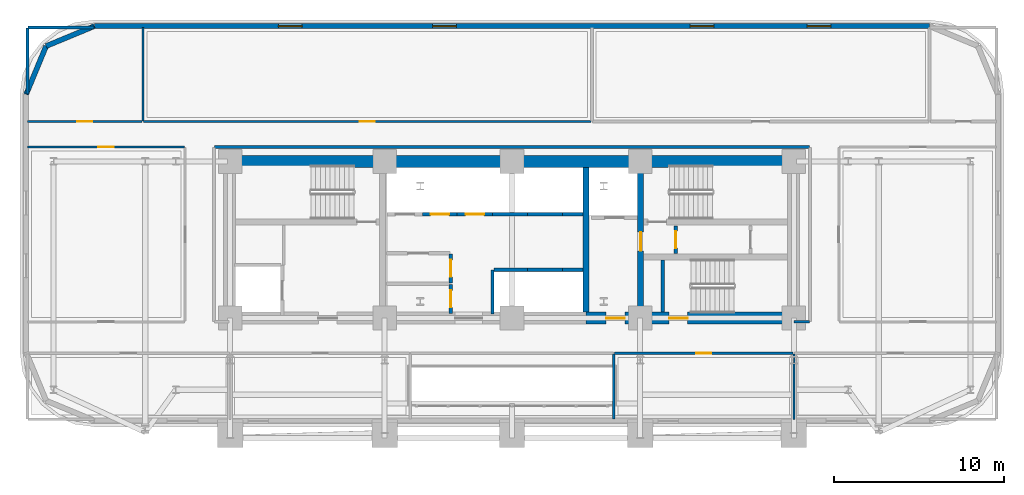
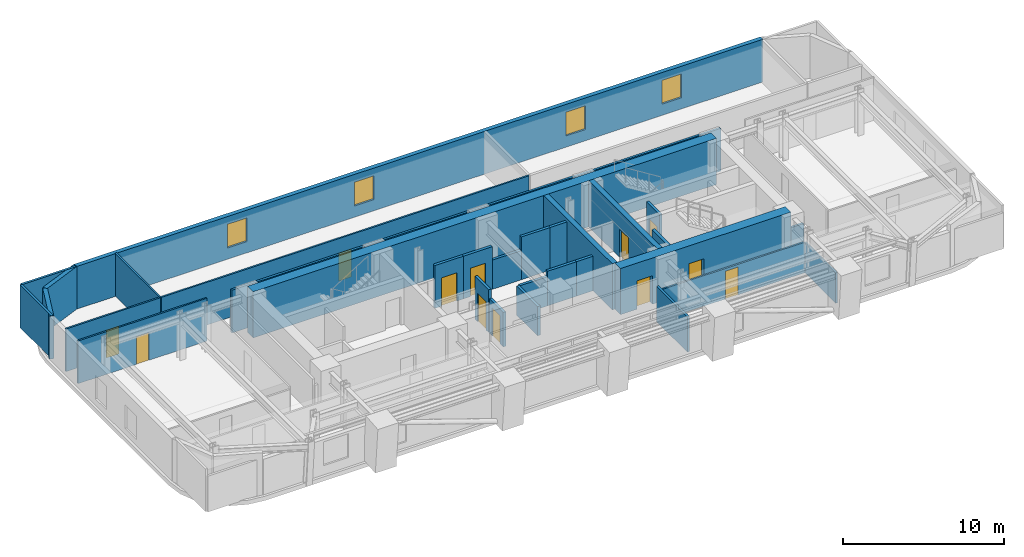
# One storey, part 9 of 15: 31 walls, 12 doors, 4 windows, 16 openings.
"""IFC4 building model written with IfcOpenShell, lengths in metres."""

import ifcopenshell
import ifcopenshell.guid

model = None  # the IFC model being written
_history = None  # IfcOwnerHistory: only IFC2X3 demands one
_inside = {}  # id of a spatial element -> (the spatial element, [elements in it])
_under = {}  # id of a project, library or spatial element -> (it, [spatial elements below it])
_declared = {}  # id of a project -> (the project, [libraries it declares])
_typed = {}  # id of a type object -> (the type object, [elements of that type])
_made_of = {}  # id of a material, layer set ... -> (it, [elements and type objects made of it])


def new_model(schema):
    """Start an empty IFC model of exactly this schema.

    Asked for "IFC4X3", IfcOpenShell would pick the latest addendum, in which some entities
    have other attributes; the version numbers below select the first issue.
    IFC2X3 requires an IfcOwnerHistory on every rooted entity: one is made here for all.
    """
    global model, _history
    if schema == "IFC4X3":
        model = ifcopenshell.file(schema_version=(4, 3, 0, 0))
    else:
        model = ifcopenshell.file(schema=schema)
    _inside.clear()
    _under.clear()
    _declared.clear()
    _typed.clear()
    _made_of.clear()
    _history = None
    if model.schema == "IFC2X3":
        org = make("IfcOrganization", Name="unknown")
        user = make(
            "IfcPersonAndOrganization",
            ThePerson=make("IfcPerson", FamilyName="unknown"),
            TheOrganization=org,
        )
        app = make(
            "IfcApplication",
            ApplicationDeveloper=org,
            Version="unknown",
            ApplicationFullName="unknown",
            ApplicationIdentifier="unknown",
        )
        _history = make(
            "IfcOwnerHistory",
            OwningUser=user,
            OwningApplication=app,
            ChangeAction="ADDED",
            CreationDate=0,
        )
    return model


def make(cls, **values):
    """One entity of the class cls with the attributes given. An attribute that is None is left unset."""
    return model.create_entity(
        cls, **{name: value for name, value in values.items() if value is not None}
    )


def rooted(cls, **values):
    """An entity with a GlobalId (a new one), such as an element, a storey or a relation."""
    return make(cls, GlobalId=ifcopenshell.guid.new(), OwnerHistory=_history, **values)


def si_unit(unit_type, name, prefix=None):
    """IfcSIUnit, for example si_unit("LENGTHUNIT", "METRE", prefix="MILLI")."""
    return make("IfcSIUnit", UnitType=unit_type, Prefix=prefix, Name=name)


def assignment(units):
    """IfcUnitAssignment: the units of a project."""
    return None if units is None else make("IfcUnitAssignment", Units=units)


def point(xyz):
    """IfcCartesianPoint."""
    return None if xyz is None else make("IfcCartesianPoint", Coordinates=xyz)


def direction(xyz):
    """IfcDirection."""
    return None if xyz is None else make("IfcDirection", DirectionRatios=xyz)


def frame(location, z_axis=None, x_axis=None):
    """IfcAxis2Placement3D, a coordinate frame: its origin and axes. An axis left out is left unset."""
    return make(
        "IfcAxis2Placement3D",
        Location=point(location),
        Axis=direction(z_axis),
        RefDirection=direction(x_axis),
    )


def frame_2d(location, x_axis=None):
    """IfcAxis2Placement2D, a coordinate frame in the plane: its origin and x axis."""
    return make(
        "IfcAxis2Placement2D", Location=point(location), RefDirection=direction(x_axis)
    )


def origin():
    """The frame at (0, 0, 0) with its axes left unset."""
    return frame((0.0, 0.0, 0.0))


def place(relative_to, where):
    """IfcLocalPlacement: puts the frame where relative to a parent placement (None: the world)."""
    return make(
        "IfcLocalPlacement", PlacementRelTo=relative_to, RelativePlacement=where
    )


def context(
    kind, dimensions, precision=None, world=None, true_north=None, identifier=None
):
    """IfcGeometricRepresentationContext, for example the 3D "Model" context."""
    return make(
        "IfcGeometricRepresentationContext",
        ContextIdentifier=identifier,
        ContextType=kind,
        CoordinateSpaceDimension=dimensions,
        Precision=precision,
        WorldCoordinateSystem=world,
        TrueNorth=true_north,
    )


def subcontext(parent, identifier, kind, view, scale=None):
    """IfcGeometricRepresentationSubContext, for example "Body" below "Model"."""
    return make(
        "IfcGeometricRepresentationSubContext",
        ContextIdentifier=identifier,
        ContextType=kind,
        ParentContext=parent,
        TargetScale=scale,
        TargetView=view,
    )


def project(units=None, contexts=None):
    """IfcProject with its units and contexts."""
    return rooted(
        "IfcProject",
        Name="project",
        RepresentationContexts=contexts,
        UnitsInContext=assignment(units),
    )


def spatial(cls, under=None, at=None, **own):
    """A site, building, storey or space (cls), placed at a placement, below another one or the project."""
    s = rooted(cls, ObjectPlacement=at, **own)
    if under is not None:
        _under.setdefault(under.id(), (under, []))[1].append(s)
    return s


def profile(cls, at=None, kind="AREA", **sizes):
    """A parametric profile (cls). Its sizes go by their IFC names, for example OverallWidth=200.0."""
    return make(cls, ProfileType=kind, Position=at, **sizes)


def rectangle(**sizes):
    """IfcRectangleProfileDef."""
    return profile("IfcRectangleProfileDef", **sizes)


def extrude(swept, where, along, depth):
    """IfcExtrudedAreaSolid: the profile swept, set in the frame where, extruded along a direction by depth."""
    return make(
        "IfcExtrudedAreaSolid",
        SweptArea=swept,
        Position=where,
        ExtrudedDirection=direction(along),
        Depth=depth,
    )


def shape(context_of_items, identifier, shape_type, items):
    """IfcShapeRepresentation: the items that make up one representation, for example the "Body"."""
    return make(
        "IfcShapeRepresentation",
        ContextOfItems=context_of_items,
        RepresentationIdentifier=identifier,
        RepresentationType=shape_type,
        Items=items,
    )


def material(Name=None, Category=None):
    """IfcMaterial."""
    return make("IfcMaterial", Name=Name, Category=Category)


def layer(
    of_material, thickness, ventilated=None, Name=None, Category=None, Priority=None
):
    """IfcMaterialLayer: one layer of a wall or slab, of a material (None: an air gap)."""
    return make(
        "IfcMaterialLayer",
        Material=of_material,
        LayerThickness=thickness,
        IsVentilated=ventilated,
        Name=Name,
        Category=Category,
        Priority=Priority,
    )


def layer_set(layers, Name=None):
    """IfcMaterialLayerSet."""
    return make("IfcMaterialLayerSet", MaterialLayers=layers, LayerSetName=Name)


def made_of(thing, what):
    """Note that an element or type object is made of a material, layer set ...; save() writes the relation."""
    if what is not None:
        _made_of.setdefault(what.id(), (what, []))[1].append(thing)
    return thing


def type_object(cls, material=None, **own):
    """A type object (cls), such as IfcWallType, which elements share."""
    return made_of(rooted(cls, **own), material)


def element(
    cls,
    number,
    at=None,
    inside=None,
    cuts=None,
    type_object=None,
    material=None,
    context=None,
    identifier="Body",
    shape_type=None,
    held_by="IfcProductDefinitionShape",
    body=None,
    shapes=None,
    **own,
):
    """One element of the class cls, such as IfcWall. Its Tag is "e" and its number.

    at: its placement. inside: the storey or other place that contains it. cuts: it is an
    opening in that element (IfcRelVoidsElement). A single representation is given by context,
    identifier, shape_type and body (its items); several are given by shapes. held_by: the class
    of the entity that holds the representations. save() writes the other relations.
    """
    e = rooted(cls, Tag="e%d" % number, ObjectPlacement=at, **own)
    if body is not None:
        shapes = [shape(context, identifier, shape_type, body)]
    if shapes is not None:
        e.Representation = make(held_by, Representations=shapes)
    if inside is not None:
        _inside.setdefault(inside.id(), (inside, []))[1].append(e)
    if cuts is not None:
        rooted(
            "IfcRelVoidsElement", RelatingBuildingElement=cuts, RelatedOpeningElement=e
        )
    if type_object is not None:
        _typed.setdefault(type_object.id(), (type_object, []))[1].append(e)
    return made_of(e, material)


def fill(opening, filler):
    """IfcRelFillsElement: the door or window that sits in an opening."""
    return rooted(
        "IfcRelFillsElement",
        RelatingOpeningElement=opening,
        RelatedBuildingElement=filler,
    )


def aggregate(whole, parts):
    """IfcRelAggregates: a whole, such as a stair, and the parts it consists of."""
    return rooted("IfcRelAggregates", RelatingObject=whole, RelatedObjects=parts)


def save(model, path):
    """Write the relations noted so far, then the file.

    IfcRelAggregates (storeys below a building ...), IfcRelContainedInSpatialStructure (elements
    in a storey), IfcRelDefinesByType, IfcRelAssociatesMaterial and IfcRelDeclares: one each for
    every whole, place, type object, material and project.
    """
    for whole, parts in _under.values():
        aggregate(whole, parts)
    for where, things in _inside.values():
        rooted(
            "IfcRelContainedInSpatialStructure",
            RelatedElements=things,
            RelatingStructure=where,
        )
    for kind, things in _typed.values():
        rooted("IfcRelDefinesByType", RelatedObjects=things, RelatingType=kind)
    for what, things in _made_of.values():
        rooted("IfcRelAssociatesMaterial", RelatedObjects=things, RelatingMaterial=what)
    for by, libraries in _declared.values():
        rooted("IfcRelDeclares", RelatingContext=by, RelatedDefinitions=libraries)
    model.write(path)


model = new_model("IFC4")

# Units and contexts
model_context = context("Model", 3, precision=1e-05, world=origin(), true_north=direction((0.0, 1.0)))
body_context = subcontext(model_context, "Body", "Model", "MODEL_VIEW")
ifc_project = project(units=[si_unit("LENGTHUNIT", "METRE"), si_unit("AREAUNIT", "SQUARE_METRE"), si_unit("VOLUMEUNIT", "CUBIC_METRE"), si_unit("PLANEANGLEUNIT", "RADIAN"), si_unit("MASSUNIT", "GRAM", prefix="KILO")], contexts=[model_context])

# Site, building, storey
site_placement = place(None, origin())
site = spatial("IfcSite", under=ifc_project, at=site_placement, CompositionType="ELEMENT")
building_placement = place(site_placement, origin())
building = spatial("IfcBuilding", under=site, at=building_placement, Name="Zarnavel Station Tower", CompositionType="ELEMENT")
storey_placement = place(building_placement, frame((0.0, 0.0, 57.0)))
storey = spatial("IfcBuildingStorey", under=building, at=storey_placement, Name="L15", CompositionType="ELEMENT", Elevation=57.0)

# Wall
ifc_material_1 = material(Name="Concrete C50/60", Category="concrete")
ifc_layer_1 = layer(ifc_material_1, 0.35009765625)
ifc_layer_set_1 = layer_set([ifc_layer_1], Name="CW_350")
wall_type_1 = type_object("IfcWallType", Name="CW_350", PredefinedType="SHEAR", material=ifc_layer_set_1)
wall_1_placement = place(storey_placement, frame((33.14990234375, 28.169921875, 0.0), z_axis=(0.0, 0.0, 1.0), x_axis=(0.0, 1.0, 0.0)))
element("IfcWall", 1, at=wall_1_placement, inside=storey, type_object=wall_type_1, Name="L15 Rear Core Shear Wall DIV-E", PredefinedType="SHEAR", context=body_context, shape_type="SweptSolid", body=[
    extrude(rectangle(XDim=8.530029296875, YDim=0.35009765625, at=frame_2d((4.26513671875, 0.0))), origin(), (0.0, 0.0, 1.0), 3.5),
])

# Wall, opening, door
wall_2_placement = place(storey_placement, frame((36.3798828125, 28.169921875, 0.0), z_axis=(0.0, 0.0, 1.0), x_axis=(0.0, 1.0, 0.0)))
wall_2 = element("IfcWall", 2, at=wall_2_placement, inside=storey, type_object=wall_type_1, Name="L15 Rear Core Shear Wall DIV-S2", PredefinedType="SHEAR", context=body_context, shape_type="SweptSolid", body=[
    extrude(rectangle(XDim=8.530029296875, YDim=0.35009765625, at=frame_2d((4.26513671875, 0.0))), origin(), (0.0, 0.0, 1.0), 3.5),
])
opening_1_placement = place(wall_2_placement, frame((3.610107421875, 0.0, 0.0)))
opening_1 = element("IfcOpeningElement", 3, at=opening_1_placement, cuts=wall_2, Name="Opening FD01", PredefinedType="OPENING", context=body_context, shape_type="SweptSolid", body=[
    extrude(rectangle(XDim=1.10009765625, YDim=2.14990234375, at=frame_2d((0.550048828125, 1.074951171875))), frame((0.0, 0.18505859375, 0.0), z_axis=(0.0, -1.0, 0.0), x_axis=(1.0, 0.0, 0.0)), (0.0, 0.0, 1.0), 0.3701171875),
])
ifc_material_2 = material(Name="Painted Galvanised Steel and Hardwood Leaf", Category="steel")
door_type_1 = type_object("IfcDoorType", Name="ID_STAIR_1100", OperationType="NOTDEFINED", PredefinedType="DOOR", material=ifc_material_2)
door_1_placement = place(opening_1_placement, origin())
door_1 = element("IfcDoor", 4, at=door_1_placement, inside=storey, type_object=door_type_1, Name="L15 East Stair Vestibule Fire Door", OperationType="SINGLE_SWING_LEFT", OverallHeight=2.14990234375, OverallWidth=1.10009765625, PredefinedType="DOOR", context=body_context, shape_type="SweptSolid", body=[
    extrude(rectangle(XDim=1.10009765625, YDim=2.14990234375, at=frame_2d((0.550048828125, 1.074951171875))), frame((0.0, 0.02490234375, 0.0), z_axis=(0.0, -1.0, 0.0), x_axis=(1.0, 0.0, 0.0)), (0.0, 0.0, 1.0), 0.050048828125),
])
fill(opening_1, door_1)

# Wall
ifc_material_3 = material(Name="Concrete C60/75", Category="concrete")
ifc_layer_2 = layer(ifc_material_3, 0.699951171875)
ifc_layer_set_2 = layer_set([ifc_layer_2], Name="CW_700")
wall_type_2 = type_object("IfcWallType", Name="CW_700", PredefinedType="SHEAR", material=ifc_layer_set_2)
wall_3_placement = place(storey_placement, frame((12.14990234375, 37.050048828125, 0.0), z_axis=(0.0, 0.0, 1.0), x_axis=(1.0, 0.0, 0.0)))
element("IfcWall", 5, at=wall_3_placement, inside=storey, type_object=wall_type_2, Name="L15 Rear Core Shear Wall N", PredefinedType="SHEAR", context=body_context, shape_type="SweptSolid", body=[
    extrude(rectangle(XDim=33.22998046875, YDim=0.699951171875, at=frame_2d((16.614990234375, 0.0))), origin(), (0.0, 0.0, 1.0), 3.5),
])

# Wall, openings, doors
wall_4_placement = place(storey_placement, frame((45.3798828125, 27.820068359375, 0.0), z_axis=(0.0, 0.0, 1.0), x_axis=(-1.0, 0.0, 0.0)))
wall_4 = element("IfcWall", 6, at=wall_4_placement, inside=storey, type_object=wall_type_2, Name="L15 Rear Core Shear Wall S-E", PredefinedType="SHEAR", context=body_context, shape_type="SweptSolid", body=[
    extrude(rectangle(XDim=12.22998046875, YDim=0.699951171875, at=frame_2d((6.114990234375, 0.0))), origin(), (0.0, 0.0, 1.0), 3.5),
])
opening_2_placement = place(wall_4_placement, frame((9.929931640625, 0.0, 0.0)))
opening_2 = element("IfcOpeningElement", 7, at=opening_2_placement, cuts=wall_4, Name="Opening FD01", PredefinedType="OPENING", context=body_context, shape_type="SweptSolid", body=[
    extrude(rectangle(XDim=1.10009765625, YDim=2.14990234375, at=frame_2d((0.550048828125, 1.074951171875))), frame((0.0, 0.35986328125, 0.0), z_axis=(0.0, -1.0, 0.0), x_axis=(1.0, 0.0, 0.0)), (0.0, 0.0, 1.0), 0.719970703125),
])
opening_3_placement = place(wall_4_placement, frame((6.22998046875, 0.0, 0.0)))
opening_3 = element("IfcOpeningElement", 8, at=opening_3_placement, cuts=wall_4, Name="Opening FD01", PredefinedType="OPENING", context=body_context, shape_type="SweptSolid", body=[
    extrude(rectangle(XDim=1.10009765625, YDim=2.14990234375, at=frame_2d((0.550048828125, 1.074951171875))), frame((0.0, 0.35986328125, 0.0), z_axis=(0.0, -1.0, 0.0), x_axis=(1.0, 0.0, 0.0)), (0.0, 0.0, 1.0), 0.719970703125),
])
door_2_placement = place(opening_2_placement, origin())
door_2 = element("IfcDoor", 9, at=door_2_placement, inside=storey, type_object=door_type_1, Name="L15 East Firefighting Lobby Door", OperationType="SINGLE_SWING_LEFT", OverallHeight=2.14990234375, OverallWidth=1.10009765625, PredefinedType="DOOR", context=body_context, shape_type="SweptSolid", body=[
    extrude(rectangle(XDim=1.10009765625, YDim=2.14990234375, at=frame_2d((0.550048828125, 1.074951171875))), frame((0.0, 0.02490234375, 0.0), z_axis=(0.0, -1.0, 0.0), x_axis=(1.0, 0.0, 0.0)), (0.0, 0.0, 1.0), 0.050048828125),
])
fill(opening_2, door_2)
door_3_placement = place(opening_3_placement, origin())
door_3 = element("IfcDoor", 10, at=door_3_placement, inside=storey, type_object=door_type_1, Name="L15 Stair ST3 Corridor Fire Door", OperationType="SINGLE_SWING_RIGHT", OverallHeight=2.14990234375, OverallWidth=1.10009765625, PredefinedType="DOOR", context=body_context, shape_type="SweptSolid", body=[
    extrude(rectangle(XDim=1.10009765625, YDim=2.14990234375, at=frame_2d((0.550048828125, 1.074951171875))), frame((0.0, 0.02490234375, 0.0), z_axis=(0.0, -1.0, 0.0), x_axis=(1.0, 0.0, 0.0)), (0.0, 0.0, 1.0), 0.050048828125),
])
fill(opening_3, door_3)

# Wall, openings, windows
ifc_material_4 = material(Name="Precast concrete C45/55 (Dark Basalt Finish)", Category="masonry")
ifc_layer_3 = layer(ifc_material_4, 0.300048828125)
ifc_layer_set_3 = layer_set([ifc_layer_3], Name="EW_BASALT_300")
wall_type_3 = type_object("IfcWallType", Name="EW_BASALT_300", PredefinedType="SOLIDWALL", material=ifc_layer_set_3)
wall_5_placement = place(storey_placement, frame((4.199951171875, 45.02001953125, 0.0), z_axis=(0.0, 0.0, 1.0), x_axis=(1.0, 0.0, 0.0)))
wall_5 = element("IfcWall", 11, at=wall_5_placement, inside=storey, type_object=wall_type_3, Name="L15 Exterior Basalt Masonry Frame Wall 06", PredefinedType="SOLIDWALL", context=body_context, shape_type="SweptSolid", body=[
    extrude(rectangle(XDim=49.199951171875, YDim=0.300048828125, at=frame_2d((24.60009765625, 0.0))), origin(), (0.0, 0.0, 1.0), 3.239990234375),
])
opening_4_placement = place(wall_5_placement, frame((10.840087890625, 0.0, 0.85009765625)))
opening_4 = element("IfcOpeningElement", 12, at=opening_4_placement, cuts=wall_5, Name="Opening WN01", PredefinedType="OPENING", context=body_context, shape_type="SweptSolid", body=[
    extrude(rectangle(XDim=1.39990234375, YDim=1.800048828125, at=frame_2d((0.699951171875, 0.89990234375))), frame((0.0, 0.159912109375, 0.0), z_axis=(0.0, -1.0, 0.0), x_axis=(1.0, 0.0, 0.0)), (0.0, 0.0, 1.0), 0.320068359375),
])
opening_5_placement = place(wall_5_placement, frame((19.919921875, 0.0, 0.85009765625)))
opening_5 = element("IfcOpeningElement", 13, at=opening_5_placement, cuts=wall_5, Name="Opening WN01", PredefinedType="OPENING", context=body_context, shape_type="SweptSolid", body=[
    extrude(rectangle(XDim=1.39990234375, YDim=1.800048828125, at=frame_2d((0.699951171875, 0.89990234375))), frame((0.0, 0.159912109375, 0.0), z_axis=(0.0, -1.0, 0.0), x_axis=(1.0, 0.0, 0.0)), (0.0, 0.0, 1.0), 0.320068359375),
])
opening_6_placement = place(wall_5_placement, frame((35.09326171875, 0.0, 0.85009765625)))
opening_6 = element("IfcOpeningElement", 14, at=opening_6_placement, cuts=wall_5, Name="Opening WN01", PredefinedType="OPENING", context=body_context, shape_type="SweptSolid", body=[
    extrude(rectangle(XDim=1.39990234375, YDim=1.800048828125, at=frame_2d((0.699951171875, 0.89990234375))), frame((0.0, 0.159912109375, 0.0), z_axis=(0.0, -1.0, 0.0), x_axis=(1.0, 0.0, 0.0)), (0.0, 0.0, 1.0), 0.320068359375),
])
opening_7_placement = place(wall_5_placement, frame((41.98681640625, 0.0, 0.85009765625)))
opening_7 = element("IfcOpeningElement", 15, at=opening_7_placement, cuts=wall_5, Name="Opening WN01", PredefinedType="OPENING", context=body_context, shape_type="SweptSolid", body=[
    extrude(rectangle(XDim=1.39990234375, YDim=1.800048828125, at=frame_2d((0.699951171875, 0.89990234375))), frame((0.0, 0.159912109375, 0.0), z_axis=(0.0, -1.0, 0.0), x_axis=(1.0, 0.0, 0.0)), (0.0, 0.0, 1.0), 0.320068359375),
])
ifc_material_5 = material(Name="Thermally Broken Black Aluminium and Low-E Dark Glass", Category="aluminium")
window_type = type_object("IfcWindowType", Name="WN_1400x1800", PartitioningType="DOUBLE_PANEL_VERTICAL", PredefinedType="WINDOW", material=ifc_material_5)
window_1_placement = place(opening_4_placement, origin())
window_1 = element("IfcWindow", 16, at=window_1_placement, inside=storey, type_object=window_type, Name="L15 Recessed Facade Window 01", OverallHeight=1.800048828125, OverallWidth=1.39990234375, PartitioningType="SINGLE_PANEL", PredefinedType="WINDOW", context=body_context, shape_type="SweptSolid", body=[
    extrude(rectangle(XDim=1.39990234375, YDim=1.800048828125, at=frame_2d((0.699951171875, 0.89990234375))), frame((0.0, 0.030029296875, 0.0), z_axis=(0.0, -1.0, 0.0), x_axis=(1.0, 0.0, 0.0)), (0.0, 0.0, 1.0), 0.06005859375),
])
fill(opening_4, window_1)
window_2_placement = place(opening_5_placement, origin())
window_2 = element("IfcWindow", 17, at=window_2_placement, inside=storey, type_object=window_type, Name="L15 Recessed Facade Window 02", OverallHeight=1.800048828125, OverallWidth=1.39990234375, PartitioningType="SINGLE_PANEL", PredefinedType="WINDOW", context=body_context, shape_type="SweptSolid", body=[
    extrude(rectangle(XDim=1.39990234375, YDim=1.800048828125, at=frame_2d((0.699951171875, 0.89990234375))), frame((0.0, 0.030029296875, 0.0), z_axis=(0.0, -1.0, 0.0), x_axis=(1.0, 0.0, 0.0)), (0.0, 0.0, 1.0), 0.06005859375),
])
fill(opening_5, window_2)
window_3_placement = place(opening_6_placement, origin())
window_3 = element("IfcWindow", 18, at=window_3_placement, inside=storey, type_object=window_type, Name="L15 Recessed Facade Window 03", OverallHeight=1.800048828125, OverallWidth=1.39990234375, PartitioningType="SINGLE_PANEL", PredefinedType="WINDOW", context=body_context, shape_type="SweptSolid", body=[
    extrude(rectangle(XDim=1.39990234375, YDim=1.800048828125, at=frame_2d((0.699951171875, 0.89990234375))), frame((0.0, 0.030029296875, 0.0), z_axis=(0.0, -1.0, 0.0), x_axis=(1.0, 0.0, 0.0)), (0.0, 0.0, 1.0), 0.06005859375),
])
fill(opening_6, window_3)
window_4_placement = place(opening_7_placement, origin())
window_4 = element("IfcWindow", 19, at=window_4_placement, inside=storey, type_object=window_type, Name="L15 Recessed Facade Window 04", OverallHeight=1.800048828125, OverallWidth=1.39990234375, PartitioningType="SINGLE_PANEL", PredefinedType="WINDOW", context=body_context, shape_type="SweptSolid", body=[
    extrude(rectangle(XDim=1.39990234375, YDim=1.800048828125, at=frame_2d((0.699951171875, 0.89990234375))), frame((0.0, 0.030029296875, 0.0), z_axis=(0.0, -1.0, 0.0), x_axis=(1.0, 0.0, 0.0)), (0.0, 0.0, 1.0), 0.06005859375),
])
fill(opening_7, window_4)

# Walls
for number, where, z_axis, x_axis, name in (
    (20, (1.357421875, 43.842529296875, 0.0), (0.0, 0.0, 1.0), (0.923870793506, 0.382704529509, 0.0), "L15 Exterior Basalt Masonry Frame Wall 07"),
    (21, (0.179931640625, 41.0, 0.0), (0.0, 0.0, 1.0), (0.382704529509, 0.923870793506, 0.0), "L15 Exterior Basalt Masonry Frame Wall 08"),
):
    element("IfcWall", number, at=place(storey_placement, frame(where, z_axis=z_axis, x_axis=x_axis)), inside=storey, type_object=wall_type_3, Name=name, PredefinedType="SOLIDWALL", context=body_context, shape_type="SweptSolid", body=[
        extrude(rectangle(XDim=3.07666015625, YDim=0.300048828125, at=frame_2d((1.538330078125, 0.0))), origin(), (0.0, 0.0, 1.0), 3.239990234375),
    ])
ifc_material_6 = material(Name="Gypsum Twin-Stud Acoustic Fire Partition", Category="concrete")
ifc_layer_4 = layer(ifc_material_6, 0.159912109375)
ifc_layer_set_4 = layer_set([ifc_layer_4], Name="PT_DEMISE_160")
wall_type_4 = type_object("IfcWallType", Name="PT_DEMISE_160", PredefinedType="PARTITIONING", material=ifc_layer_set_4)
wall_6_placement = place(storey_placement, frame((45.409912109375, 27.60009765625, 0.0), z_axis=(0.0, 0.0, 1.0), x_axis=(1.0, 0.0, 0.0)))
element("IfcWall", 22, at=wall_6_placement, inside=storey, type_object=wall_type_4, Name="L15 Enclosure Wall COR-S", PredefinedType="PARTITIONING", context=body_context, shape_type="SweptSolid", body=[
    extrude(rectangle(XDim=0.91015625, YDim=0.159912109375, at=frame_2d((0.455078125, 0.0))), origin(), (0.0, 0.0, 1.0), 2.280029296875),
])
wall_7_placement = place(storey_placement, frame((11.280029296875, 37.89990234375, 0.0), z_axis=(0.0, 0.0, 1.0), x_axis=(1.0, 0.0, 0.0)))
element("IfcWall", 23, at=wall_7_placement, inside=storey, type_object=wall_type_4, Name="L15 Enclosure Wall COR-N", PredefinedType="PARTITIONING", context=body_context, shape_type="SweptSolid", body=[
    extrude(rectangle(XDim=35.0400390625, YDim=0.159912109375, at=frame_2d((17.52001953125, 0.0))), origin(), (0.0, 0.0, 1.0), 3.239990234375),
])
for number, where, z_axis, x_axis, name in (
    (24, (0.2900390625, 44.93994140625, 0.0), (0.0, 0.0, 1.0), (1.0, 0.0, 0.0), "L15 Enclosure Wall HSKP"),
    (25, (0.260009765625, 41.030029296875, 0.0), (0.0, 0.0, 1.0), (0.0, 1.0, 0.0), "L15 Enclosure Wall HSKP"),
):
    element("IfcWall", number, at=place(storey_placement, frame(where, z_axis=z_axis, x_axis=x_axis)), inside=storey, type_object=wall_type_4, Name=name, PredefinedType="PARTITIONING", context=body_context, shape_type="SweptSolid", body=[
        extrude(rectangle(XDim=3.8798828125, YDim=0.159912109375, at=frame_2d((1.93994140625, 0.0))), origin(), (0.0, 0.0, 1.0), 3.239990234375),
    ])
wall_8_placement = place(storey_placement, frame((34.800048828125, 21.889892578125, 0.0), z_axis=(0.0, 0.0, 1.0), x_axis=(0.0, 1.0, 0.0)))
element("IfcWall", 26, at=wall_8_placement, inside=storey, type_object=wall_type_4, Name="L15 Enclosure Wall Z1GYM", PredefinedType="PARTITIONING", context=body_context, shape_type="SweptSolid", body=[
    extrude(rectangle(XDim=3.830078125, YDim=0.159912109375, at=frame_2d((1.9150390625, 0.0))), origin(), (0.0, 0.0, 1.0), 2.679931640625),
])

# Wall, opening, door
ifc_material_7 = material(Name="Gypsum Metal-Stud Interior Partition", Category="concrete")
ifc_layer_5 = layer(ifc_material_7, 0.1201171875)
ifc_layer_set_5 = layer_set([ifc_layer_5], Name="PT_ROOM_120")
wall_type_5 = type_object("IfcWallType", Name="PT_ROOM_120", PredefinedType="PARTITIONING", material=ifc_layer_set_5)
wall_9_placement = place(storey_placement, frame((34.840087890625, 25.75, 0.0), z_axis=(0.0, 0.0, 1.0), x_axis=(1.0, 0.0, 0.0)))
wall_9 = element("IfcWall", 27, at=wall_9_placement, inside=storey, type_object=wall_type_5, Name="L15 Partition COR-S-Z1GYM", PredefinedType="PARTITIONING", context=body_context, shape_type="SweptSolid", body=[
    extrude(rectangle(XDim=10.52001953125, YDim=0.1201171875, at=frame_2d((5.260009765625, 0.0))), origin(), (0.0, 0.0, 1.0), 2.31005859375),
])
opening_8_placement = place(wall_9_placement, frame((4.81005859375, 0.0, 0.0)))
opening_8 = element("IfcOpeningElement", 28, at=opening_8_placement, cuts=wall_9, Name="Opening ID01", PredefinedType="OPENING", context=body_context, shape_type="SweptSolid", body=[
    extrude(rectangle(XDim=0.89990234375, YDim=2.10009765625, at=frame_2d((0.449951171875, 1.050048828125))), frame((0.0, 0.070068359375, 0.0), z_axis=(0.0, -1.0, 0.0), x_axis=(1.0, 0.0, 0.0)), (0.0, 0.0, 1.0), 0.14013671875),
])
ifc_material_8 = material(Name="Painted Galvanised Steel and Hardwood Leaf", Category="steel")
door_type_2 = type_object("IfcDoorType", Name="ID_ROOM_900", OperationType="NOTDEFINED", PredefinedType="DOOR", material=ifc_material_8)
door_4_placement = place(opening_8_placement, origin())
door_4 = element("IfcDoor", 29, at=door_4_placement, inside=storey, type_object=door_type_2, Name="L15 Door COR-S-Z1GYM", OperationType="SINGLE_SWING_RIGHT", OverallHeight=2.10009765625, OverallWidth=0.89990234375, PredefinedType="DOOR", context=body_context, shape_type="SweptSolid", body=[
    extrude(rectangle(XDim=0.89990234375, YDim=2.10009765625, at=frame_2d((0.449951171875, 1.050048828125))), frame((0.0, 0.02490234375, 0.0), z_axis=(0.0, -1.0, 0.0), x_axis=(1.0, 0.0, 0.0)), (0.0, 0.0, 1.0), 0.050048828125),
])
fill(opening_8, door_4)

wall_10_placement = place(storey_placement, frame((0.260009765625, 37.89990234375, 0.0), z_axis=(0.0, 0.0, 1.0), x_axis=(1.0, 0.0, 0.0)))
wall_10 = element("IfcWall", 30, at=wall_10_placement, inside=storey, type_object=wall_type_5, Name="L15 Partition COR-N-FNW4", PredefinedType="PARTITIONING", context=body_context, shape_type="SweptSolid", body=[
    extrude(rectangle(XDim=9.25, YDim=0.1201171875, at=frame_2d((4.625, 0.0))), origin(), (0.0, 0.0, 1.0), 3.239990234375),
])
opening_9_placement = place(wall_10_placement, frame((4.175048828125, 0.0, 0.0)))
opening_9 = element("IfcOpeningElement", 31, at=opening_9_placement, cuts=wall_10, Name="Opening ID01", PredefinedType="OPENING", context=body_context, shape_type="SweptSolid", body=[
    extrude(rectangle(XDim=0.89990234375, YDim=2.10009765625, at=frame_2d((0.449951171875, 1.050048828125))), frame((0.0, 0.070068359375, 0.0), z_axis=(0.0, -1.0, 0.0), x_axis=(1.0, 0.0, 0.0)), (0.0, 0.0, 1.0), 0.14013671875),
])
door_5_placement = place(opening_9_placement, origin())
door_5 = element("IfcDoor", 32, at=door_5_placement, inside=storey, type_object=door_type_2, Name="L15 Door COR-N-FNW4", OperationType="SINGLE_SWING_RIGHT", OverallHeight=2.10009765625, OverallWidth=0.89990234375, PredefinedType="DOOR", context=body_context, shape_type="SweptSolid", body=[
    extrude(rectangle(XDim=0.89990234375, YDim=2.10009765625, at=frame_2d((0.449951171875, 1.050048828125))), frame((0.0, 0.02490234375, 0.0), z_axis=(0.0, -1.0, 0.0), x_axis=(1.0, 0.0, 0.0)), (0.0, 0.0, 1.0), 0.050048828125),
])
fill(opening_9, door_5)

wall_11_placement = place(storey_placement, frame((0.260009765625, 39.39990234375, 0.0), z_axis=(0.0, 0.0, 1.0), x_axis=(1.0, 0.0, 0.0)))
wall_11 = element("IfcWall", 33, at=wall_11_placement, inside=storey, type_object=wall_type_5, Name="L15 Partition COR-N-HSKP", PredefinedType="PARTITIONING", context=body_context, shape_type="SweptSolid", body=[
    extrude(rectangle(XDim=6.760009765625, YDim=0.1201171875, at=frame_2d((3.3798828125, 0.0))), origin(), (0.0, 0.0, 1.0), 3.239990234375),
])
opening_10_placement = place(wall_11_placement, frame((2.929931640625, 0.0, 0.0)))
opening_10 = element("IfcOpeningElement", 34, at=opening_10_placement, cuts=wall_11, Name="Opening ID01", PredefinedType="OPENING", context=body_context, shape_type="SweptSolid", body=[
    extrude(rectangle(XDim=0.89990234375, YDim=2.10009765625, at=frame_2d((0.449951171875, 1.050048828125))), frame((0.0, 0.070068359375, 0.0), z_axis=(0.0, -1.0, 0.0), x_axis=(1.0, 0.0, 0.0)), (0.0, 0.0, 1.0), 0.14013671875),
])
door_6_placement = place(opening_10_placement, origin())
door_6 = element("IfcDoor", 35, at=door_6_placement, inside=storey, type_object=door_type_2, Name="L15 Door COR-N-HSKP", OperationType="SINGLE_SWING_RIGHT", OverallHeight=2.10009765625, OverallWidth=0.89990234375, PredefinedType="DOOR", context=body_context, shape_type="SweptSolid", body=[
    extrude(rectangle(XDim=0.89990234375, YDim=2.10009765625, at=frame_2d((0.449951171875, 1.050048828125))), frame((0.0, 0.02490234375, 0.0), z_axis=(0.0, -1.0, 0.0), x_axis=(1.0, 0.0, 0.0)), (0.0, 0.0, 1.0), 0.050048828125),
])
fill(opening_10, door_6)

wall_12_placement = place(storey_placement, frame((7.10009765625, 39.39990234375, 0.0), z_axis=(0.0, 0.0, 1.0), x_axis=(1.0, 0.0, 0.0)))
wall_12 = element("IfcWall", 36, at=wall_12_placement, inside=storey, type_object=wall_type_5, Name="L15 Partition COR-N-NL4A", PredefinedType="PARTITIONING", context=body_context, shape_type="SweptSolid", body=[
    extrude(rectangle(XDim=26.35986328125, YDim=0.1201171875, at=frame_2d((13.179931640625, 0.0))), origin(), (0.0, 0.0, 1.0), 3.239990234375),
])
opening_11_placement = place(wall_12_placement, frame((12.72998046875, 0.0, 0.0)))
opening_11 = element("IfcOpeningElement", 37, at=opening_11_placement, cuts=wall_12, Name="Opening ID01", PredefinedType="OPENING", context=body_context, shape_type="SweptSolid", body=[
    extrude(rectangle(XDim=0.89990234375, YDim=2.10009765625, at=frame_2d((0.449951171875, 1.050048828125))), frame((0.0, 0.070068359375, 0.0), z_axis=(0.0, -1.0, 0.0), x_axis=(1.0, 0.0, 0.0)), (0.0, 0.0, 1.0), 0.14013671875),
])
door_7_placement = place(opening_11_placement, origin())
door_7 = element("IfcDoor", 38, at=door_7_placement, inside=storey, type_object=door_type_2, Name="L15 Door COR-N-NL4A", OperationType="SINGLE_SWING_LEFT", OverallHeight=2.10009765625, OverallWidth=0.89990234375, PredefinedType="DOOR", context=body_context, shape_type="SweptSolid", body=[
    extrude(rectangle(XDim=0.89990234375, YDim=2.10009765625, at=frame_2d((0.449951171875, 1.050048828125))), frame((0.0, 0.02490234375, 0.0), z_axis=(0.0, -1.0, 0.0), x_axis=(1.0, 0.0, 0.0)), (0.0, 0.0, 1.0), 0.050048828125),
])
fill(opening_11, door_7)

# Walls
wall_13_placement = place(storey_placement, frame((7.06005859375, 39.43994140625, 0.0), z_axis=(0.0, 0.0, 1.0), x_axis=(0.0, 1.0, 0.0)))
element("IfcWall", 39, at=wall_13_placement, inside=storey, type_object=wall_type_5, Name="L15 Partition HSKP-NL4A", PredefinedType="PARTITIONING", context=body_context, shape_type="SweptSolid", body=[
    extrude(rectangle(XDim=5.5, YDim=0.1201171875, at=frame_2d((2.75, 0.0))), origin(), (0.0, 0.0, 1.0), 3.239990234375),
])
wall_14_placement = place(storey_placement, frame((45.39990234375, 21.860107421875, 0.0), z_axis=(0.0, 0.0, 1.0), x_axis=(0.0, 1.0, 0.0)))
element("IfcWall", 40, at=wall_14_placement, inside=storey, type_object=wall_type_5, Name="L15 Partition Z1GYM-Z1TEA", PredefinedType="PARTITIONING", context=body_context, shape_type="SweptSolid", body=[
    extrude(rectangle(XDim=3.849853515625, YDim=0.1201171875, at=frame_2d((1.9248046875, 0.0))), origin(), (0.0, 0.0, 1.0), 2.31005859375),
])
ifc_material_9 = material(Name="Precast concrete C45/55 (Fire Shaft Blockwork)", Category="masonry")
ifc_layer_6 = layer(ifc_material_9, 0.199951171875)
ifc_layer_set_6 = layer_set([ifc_layer_6], Name="PT_SHAFT_200")
wall_type_6 = type_object("IfcWallType", Name="PT_SHAFT_200", PredefinedType="PARTITIONING", material=ifc_layer_set_6)
wall_15_placement = place(storey_placement, frame((27.75, 30.669921875, 0.0), z_axis=(0.0, 0.0, 1.0), x_axis=(1.0, 0.0, 0.0)))
element("IfcWall", 41, at=wall_15_placement, inside=storey, type_object=wall_type_6, Name="L15 Lift PL-H1 Shaft Front Wall", PredefinedType="PARTITIONING", context=body_context, shape_type="SweptSolid", body=[
    extrude(rectangle(XDim=1.97509765625, YDim=0.199951171875, at=frame_2d((0.987548828125, 0.0))), origin(), (0.0, 0.0, 1.0), 2.2119140625),
])
wall_16_placement = place(storey_placement, frame((27.64990234375, 28.070068359375, 0.0), z_axis=(0.0, 0.0, 1.0), x_axis=(0.0, 1.0, 0.0)))
element("IfcWall", 42, at=wall_16_placement, inside=storey, type_object=wall_type_6, Name="L15 High-Rise Lift Bank West Shaft Wall", PredefinedType="PARTITIONING", context=body_context, shape_type="SweptSolid", body=[
    extrude(rectangle(XDim=2.579833984375, YDim=0.199951171875, at=frame_2d((1.2900390625, 0.0))), origin(), (0.0, 0.0, 1.0), 2.2119140625),
])
wall_17_placement = place(storey_placement, frame((29.72509765625, 30.669921875, 0.0), z_axis=(0.0, 0.0, 1.0), x_axis=(1.0, 0.0, 0.0)))
element("IfcWall", 43, at=wall_17_placement, inside=storey, type_object=wall_type_6, Name="L15 Lift PL-H2 Shaft Front Wall", PredefinedType="PARTITIONING", context=body_context, shape_type="SweptSolid", body=[
    extrude(rectangle(XDim=2.0498046875, YDim=0.199951171875, at=frame_2d((1.02490234375, 0.0))), origin(), (0.0, 0.0, 1.0), 2.6201171875),
])
wall_18_placement = place(storey_placement, frame((31.77490234375, 30.669921875, 0.0), z_axis=(0.0, 0.0, 1.0), x_axis=(1.0, 0.0, 0.0)))
element("IfcWall", 44, at=wall_18_placement, inside=storey, type_object=wall_type_6, Name="L15 Lift PL-H3 Shaft Front Wall", PredefinedType="PARTITIONING", context=body_context, shape_type="SweptSolid", body=[
    extrude(rectangle(XDim=1.2001953125, YDim=0.199951171875, at=frame_2d((0.60009765625, 0.0))), origin(), (0.0, 0.0, 1.0), 2.6201171875),
])

# Wall, opening, door
wall_19_placement = place(storey_placement, frame((23.52490234375, 33.929931640625, 0.0), z_axis=(0.0, 0.0, 1.0), x_axis=(1.0, 0.0, 0.0)))
wall_19 = element("IfcWall", 45, at=wall_19_placement, inside=storey, type_object=wall_type_6, Name="L15 Lift PL-L2 Shaft Front Wall", PredefinedType="PARTITIONING", context=body_context, shape_type="SweptSolid", body=[
    extrude(rectangle(XDim=2.050048828125, YDim=0.199951171875, at=frame_2d((1.02490234375, 0.0))), origin(), (0.0, 0.0, 1.0), 3.239990234375),
])
opening_12_placement = place(wall_19_placement, frame((0.47509765625, 0.0, 0.0)))
opening_12 = element("IfcOpeningElement", 46, at=opening_12_placement, cuts=wall_19, Name="Opening LD02", PredefinedType="OPENING", context=body_context, shape_type="SweptSolid", body=[
    extrude(rectangle(XDim=1.10009765625, YDim=2.14990234375, at=frame_2d((0.550048828125, 1.074951171875))), frame((0.0, 0.10986328125, 0.0), z_axis=(0.0, -1.0, 0.0), x_axis=(1.0, 0.0, 0.0)), (0.0, 0.0, 1.0), 0.219970703125),
])
ifc_material_10 = material(Name="Painted Galvanised Steel and Hardwood Leaf", Category="steel")
door_type_3 = type_object("IfcDoorType", Name="LD_PAX_1100", OperationType="DOUBLE_DOOR_SLIDING", PredefinedType="DOOR", material=ifc_material_10)
door_8_placement = place(opening_12_placement, origin())
door_8 = element("IfcDoor", 47, at=door_8_placement, inside=storey, type_object=door_type_3, Name="L15 Lift PL-L2 Sliding Landing Door", OperationType="DOUBLE_DOOR_SLIDING", OverallHeight=2.14990234375, OverallWidth=1.10009765625, PredefinedType="DOOR", context=body_context, shape_type="SweptSolid", body=[
    extrude(rectangle(XDim=1.10009765625, YDim=2.14990234375, at=frame_2d((0.550048828125, 1.074951171875))), frame((0.0, 0.02490234375, 0.0), z_axis=(0.0, -1.0, 0.0), x_axis=(1.0, 0.0, 0.0)), (0.0, 0.0, 1.0), 0.050048828125),
])
fill(opening_12, door_8)

wall_20_placement = place(storey_placement, frame((25.574951171875, 33.929931640625, 0.0), z_axis=(0.0, 0.0, 1.0), x_axis=(1.0, 0.0, 0.0)))
wall_20 = element("IfcWall", 48, at=wall_20_placement, inside=storey, type_object=wall_type_6, Name="L15 Lift PL-L3 Shaft Front Wall", PredefinedType="PARTITIONING", context=body_context, shape_type="SweptSolid", body=[
    extrude(rectangle(XDim=2.074951171875, YDim=0.199951171875, at=frame_2d((1.03759765625, 0.0))), origin(), (0.0, 0.0, 1.0), 3.239990234375),
])
opening_13_placement = place(wall_20_placement, frame((0.487548828125, 0.0, 0.0)))
opening_13 = element("IfcOpeningElement", 49, at=opening_13_placement, cuts=wall_20, Name="Opening LD02", PredefinedType="OPENING", context=body_context, shape_type="SweptSolid", body=[
    extrude(rectangle(XDim=1.10009765625, YDim=2.14990234375, at=frame_2d((0.550048828125, 1.074951171875))), frame((0.0, 0.10986328125, 0.0), z_axis=(0.0, -1.0, 0.0), x_axis=(1.0, 0.0, 0.0)), (0.0, 0.0, 1.0), 0.219970703125),
])
door_9_placement = place(opening_13_placement, origin())
door_9 = element("IfcDoor", 50, at=door_9_placement, inside=storey, type_object=door_type_3, Name="L15 Lift PL-L3 Sliding Landing Door", OperationType="DOUBLE_DOOR_SLIDING", OverallHeight=2.14990234375, OverallWidth=1.10009765625, PredefinedType="DOOR", context=body_context, shape_type="SweptSolid", body=[
    extrude(rectangle(XDim=1.10009765625, YDim=2.14990234375, at=frame_2d((0.550048828125, 1.074951171875))), frame((0.0, 0.02490234375, 0.0), z_axis=(0.0, -1.0, 0.0), x_axis=(1.0, 0.0, 0.0)), (0.0, 0.0, 1.0), 0.050048828125),
])
fill(opening_13, door_9)

# Walls
wall_21_placement = place(storey_placement, frame((27.64990234375, 33.929931640625, 0.0), z_axis=(0.0, 0.0, 1.0), x_axis=(1.0, 0.0, 0.0)))
element("IfcWall", 51, at=wall_21_placement, inside=storey, type_object=wall_type_6, Name="L15 Lift PL-M1 Shaft Front Wall", PredefinedType="PARTITIONING", context=body_context, shape_type="SweptSolid", body=[
    extrude(rectangle(XDim=2.0751953125, YDim=0.199951171875, at=frame_2d((1.03759765625, 0.0))), origin(), (0.0, 0.0, 1.0), 2.2119140625),
])
wall_22_placement = place(storey_placement, frame((29.72509765625, 33.929931640625, 0.0), z_axis=(0.0, 0.0, 1.0), x_axis=(1.0, 0.0, 0.0)))
element("IfcWall", 52, at=wall_22_placement, inside=storey, type_object=wall_type_6, Name="L15 Lift PL-M2 Shaft Front Wall", PredefinedType="PARTITIONING", context=body_context, shape_type="SweptSolid", body=[
    extrude(rectangle(XDim=2.0498046875, YDim=0.199951171875, at=frame_2d((1.02490234375, 0.0))), origin(), (0.0, 0.0, 1.0), 3.239990234375),
])
wall_23_placement = place(storey_placement, frame((31.77490234375, 33.929931640625, 0.0), z_axis=(0.0, 0.0, 1.0), x_axis=(1.0, 0.0, 0.0)))
element("IfcWall", 53, at=wall_23_placement, inside=storey, type_object=wall_type_6, Name="L15 Lift PL-M3 Shaft Front Wall", PredefinedType="PARTITIONING", context=body_context, shape_type="SweptSolid", body=[
    extrude(rectangle(XDim=1.2001953125, YDim=0.199951171875, at=frame_2d((0.60009765625, 0.0))), origin(), (0.0, 0.0, 1.0), 3.239990234375),
])
wall_24_placement = place(storey_placement, frame((37.679931640625, 28.169921875, 0.0), z_axis=(0.0, 0.0, 1.0), x_axis=(0.0, 1.0, 0.0)))
element("IfcWall", 54, at=wall_24_placement, inside=storey, type_object=wall_type_6, Name="L15 Stair ST3 West Shaft Wall", PredefinedType="PARTITIONING", context=body_context, shape_type="SweptSolid", body=[
    extrude(rectangle(XDim=3.080078125, YDim=0.199951171875, at=frame_2d((1.5400390625, 0.0))), origin(), (0.0, 0.0, 1.0), 2.6201171875),
])

# Wall, opening, door
wall_25_placement = place(storey_placement, frame((38.449951171875, 31.639892578125, 0.0), z_axis=(0.0, 0.0, 1.0), x_axis=(0.0, 1.0, 0.0)))
wall_25 = element("IfcWall", 55, at=wall_25_placement, inside=storey, type_object=wall_type_6, Name="L15 Partition ESTV-CEA", PredefinedType="PARTITIONING", context=body_context, shape_type="SweptSolid", body=[
    extrude(rectangle(XDim=1.6201171875, YDim=0.199951171875, at=frame_2d((0.81005859375, 0.0))), origin(), (0.0, 0.0, 1.0), 3.239990234375),
])
opening_14_placement = place(wall_25_placement, frame((0.31005859375, 0.0, 0.0)))
opening_14 = element("IfcOpeningElement", 56, at=opening_14_placement, cuts=wall_25, Name="Opening FD02", PredefinedType="OPENING", context=body_context, shape_type="SweptSolid", body=[
    extrude(rectangle(XDim=1.0, YDim=2.14990234375, at=frame_2d((0.5, 1.074951171875))), frame((0.0, 0.10986328125, 0.0), z_axis=(0.0, -1.0, 0.0), x_axis=(1.0, 0.0, 0.0)), (0.0, 0.0, 1.0), 0.219970703125),
])
ifc_material_11 = material(Name="Painted Galvanised Steel and Hardwood Leaf", Category="steel")
door_type_4 = type_object("IfcDoorType", Name="ID_ENTRY_1000", OperationType="NOTDEFINED", PredefinedType="DOOR", material=ifc_material_11)
door_10_placement = place(opening_14_placement, origin())
door_10 = element("IfcDoor", 57, at=door_10_placement, inside=storey, type_object=door_type_4, Name="L15 Door ESTV-CEA", OperationType="SINGLE_SWING_LEFT", OverallHeight=2.14990234375, OverallWidth=1.0, PredefinedType="DOOR", context=body_context, shape_type="SweptSolid", body=[
    extrude(rectangle(XDim=1.0, YDim=2.14990234375, at=frame_2d((0.5, 1.074951171875))), frame((0.0, 0.02490234375, 0.0), z_axis=(0.0, -1.0, 0.0), x_axis=(1.0, 0.0, 0.0)), (0.0, 0.0, 1.0), 0.050048828125),
])
fill(opening_14, door_10)

wall_26_placement = place(storey_placement, frame((25.199951171875, 28.090087890625, 0.0), z_axis=(0.0, 0.0, 1.0), x_axis=(0.0, 1.0, 0.0)))
wall_26 = element("IfcWall", 58, at=wall_26_placement, inside=storey, type_object=wall_type_6, Name="L15 Partition LLOBS-CS1", PredefinedType="PARTITIONING", context=body_context, shape_type="SweptSolid", body=[
    extrude(rectangle(XDim=1.719970703125, YDim=0.199951171875, at=frame_2d((0.85986328125, 0.0))), origin(), (0.0, 0.0, 1.0), 2.6201171875),
])
opening_15_placement = place(wall_26_placement, frame((0.360107421875, 0.0, 0.0)))
opening_15 = element("IfcOpeningElement", 59, at=opening_15_placement, cuts=wall_26, Name="Opening FD02", PredefinedType="OPENING", context=body_context, shape_type="SweptSolid", body=[
    extrude(rectangle(XDim=1.0, YDim=2.14990234375, at=frame_2d((0.5, 1.074951171875))), frame((0.0, 0.10986328125, 0.0), z_axis=(0.0, -1.0, 0.0), x_axis=(1.0, 0.0, 0.0)), (0.0, 0.0, 1.0), 0.219970703125),
])
door_11_placement = place(opening_15_placement, origin())
door_11 = element("IfcDoor", 60, at=door_11_placement, inside=storey, type_object=door_type_4, Name="L15 Door LLOBS-CS1", OperationType="SINGLE_SWING_RIGHT", OverallHeight=2.14990234375, OverallWidth=1.0, PredefinedType="DOOR", context=body_context, shape_type="SweptSolid", body=[
    extrude(rectangle(XDim=1.0, YDim=2.14990234375, at=frame_2d((0.5, 1.074951171875))), frame((0.0, 0.02490234375, 0.0), z_axis=(0.0, -1.0, 0.0), x_axis=(1.0, 0.0, 0.0)), (0.0, 0.0, 1.0), 0.050048828125),
])
fill(opening_15, door_11)

wall_27_placement = place(storey_placement, frame((25.199951171875, 29.889892578125, 0.0), z_axis=(0.0, 0.0, 1.0), x_axis=(0.0, 1.0, 0.0)))
wall_27 = element("IfcWall", 61, at=wall_27_placement, inside=storey, type_object=wall_type_6, Name="L15 Partition LLOBS-CS2", PredefinedType="PARTITIONING", context=body_context, shape_type="SweptSolid", body=[
    extrude(rectangle(XDim=1.72021484375, YDim=0.199951171875, at=frame_2d((0.860107421875, 0.0))), origin(), (0.0, 0.0, 1.0), 3.239990234375),
])
opening_16_placement = place(wall_27_placement, frame((0.360107421875, 0.0, 0.0)))
opening_16 = element("IfcOpeningElement", 62, at=opening_16_placement, cuts=wall_27, Name="Opening FD02", PredefinedType="OPENING", context=body_context, shape_type="SweptSolid", body=[
    extrude(rectangle(XDim=1.0, YDim=2.14990234375, at=frame_2d((0.5, 1.074951171875))), frame((0.0, 0.10986328125, 0.0), z_axis=(0.0, -1.0, 0.0), x_axis=(1.0, 0.0, 0.0)), (0.0, 0.0, 1.0), 0.219970703125),
])
door_12_placement = place(opening_16_placement, origin())
door_12 = element("IfcDoor", 63, at=door_12_placement, inside=storey, type_object=door_type_4, Name="L15 Door LLOBS-CS2", OperationType="SINGLE_SWING_LEFT", OverallHeight=2.14990234375, OverallWidth=1.0, PredefinedType="DOOR", context=body_context, shape_type="SweptSolid", body=[
    extrude(rectangle(XDim=1.0, YDim=2.14990234375, at=frame_2d((0.5, 1.074951171875))), frame((0.0, 0.02490234375, 0.0), z_axis=(0.0, -1.0, 0.0), x_axis=(1.0, 0.0, 0.0)), (0.0, 0.0, 1.0), 0.050048828125),
])
fill(opening_16, door_12)

save(model, "model.ifc")
